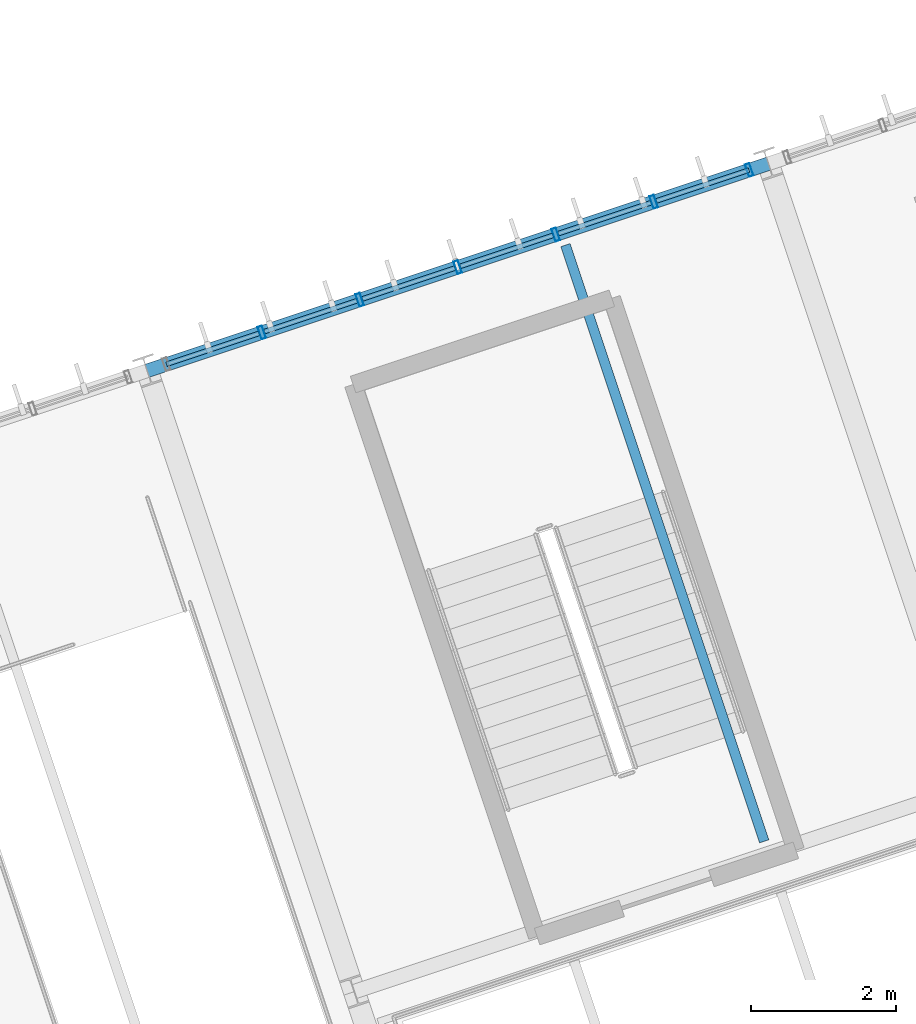
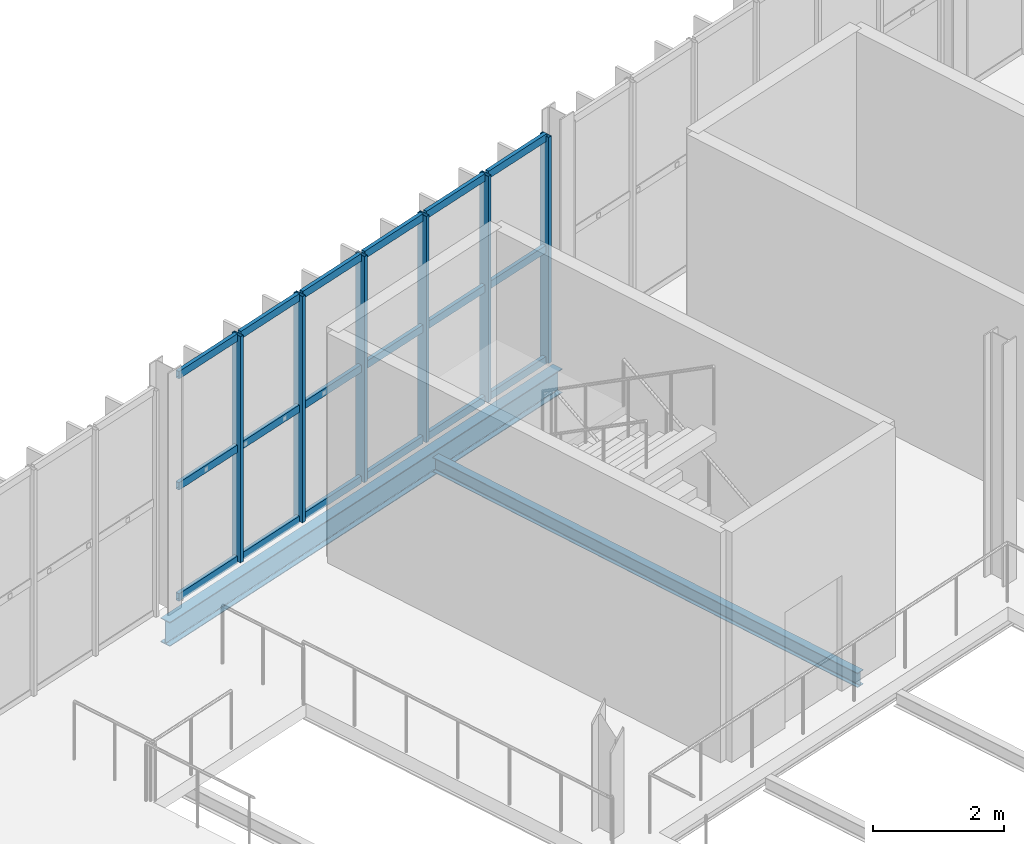
# One storey, part 48 of 152: 24 members, 2 beams, 1 element without a shape of its own.
"""IFC4 building model written with IfcOpenShell, lengths in metres."""

from ifc_helpers import new_model, si_unit, derived_unit, direction, frame, origin, origin_2d, place, context, subcontext, project, spatial, hollow_rectangle, i_section, extrude, material, material_profile, profile_set, type_object, element, aggregate, save


model = new_model("IFC4")

# Units and contexts
model_context = context("Model", 3, precision=1e-05, world=origin(), true_north=direction((0.0, 1.0)))
body_context = subcontext(model_context, "Body", "Model", "MODEL_VIEW")
ifc_project = project(units=[si_unit("LENGTHUNIT", "METRE"), si_unit("AREAUNIT", "SQUARE_METRE"), si_unit("VOLUMEUNIT", "CUBIC_METRE"), si_unit("PLANEANGLEUNIT", "RADIAN"), si_unit("MASSUNIT", "GRAM", prefix="KILO"), si_unit("THERMODYNAMICTEMPERATUREUNIT", "KELVIN"), si_unit("TIMEUNIT", "SECOND"), derived_unit("THERMALTRANSMITTANCEUNIT", [(si_unit("MASSUNIT", "GRAM", prefix="KILO"), 1), (si_unit("THERMODYNAMICTEMPERATUREUNIT", "KELVIN"), -1), (si_unit("TIMEUNIT", "SECOND"), -3)])], contexts=[model_context])

# Site, building, storey
site_placement = place(None, origin())
site = spatial("IfcSite", under=ifc_project, at=site_placement, CompositionType="ELEMENT")
building_placement = place(site_placement, origin())
building = spatial("IfcBuilding", under=site, at=building_placement, Name="Cambertide Market Hall", CompositionType="ELEMENT")
storey_placement = place(building_placement, frame((0.0, 0.0, 5.39990234375)))
storey = spatial("IfcBuildingStorey", under=building, at=storey_placement, Name="L02", CompositionType="ELEMENT", Elevation=5.39990234375)

# Curtain wall, members
ifc_material_1 = material(Name="Marine Anodized Aluminium 6063-T6 AA25", Category="aluminium")
curtain_wall_type = type_object("IfcCurtainWallType", Name="Food Court Upper Glazed Facade", PredefinedType="USERDEFINED", material=ifc_material_1)
curtain_wall_placement = place(storey_placement, origin())
curtain_wall = element("IfcCurtainWall", 1, at=curtain_wall_placement, inside=storey, type_object=curtain_wall_type, Name="Level 2 Curtain Wall CW-V3N-L02-5", ObjectType="UNITIZED CURTAIN WALL", PredefinedType="USERDEFINED")
ifc_material_2 = material(Name="Champagne Marine Anodized Aluminium 6063-T6 AA25", Category="aluminium")
ifc_material_profile_1 = material_profile(ifc_material_2, hollow_rectangle(XDim=0.06494140625, YDim=0.179931640625, WallThickness=0.00390625, at=origin_2d()), Name="ALU MULLION 65x180")
ifc_profile_set_1 = profile_set([ifc_material_profile_1], Name="Champagne Marine Anodized Aluminium 6063-T6 AA25")
member_type_1 = type_object("IfcMemberType", Name="Curtain Wall Mullion ALU MULLION 65x180", PredefinedType="MULLION", material=ifc_profile_set_1)
member_1_placement = place(storey_placement, frame((133.189208984375, 49.523681640625, 0.0), z_axis=(0.0, 0.0, 1.0), x_axis=(0.948683286311, 0.316227801236, 0.0)))
member_1 = element("IfcMember", 2, at=member_1_placement, type_object=member_type_1, Name="CW-V3N-L02-5 Mullion 2", PredefinedType="MULLION", context=body_context, shape_type="SweptSolid", body=[
    extrude(hollow_rectangle(XDim=0.06494140625, YDim=0.179931640625, WallThickness=0.00390625, at=origin_2d()), origin(), (0.0, 0.0, 1.0), 4.2001953125),
])
member_2_placement = place(storey_placement, frame((134.536376953125, 49.97265625, 0.0), z_axis=(0.0, 0.0, 1.0), x_axis=(0.948683286311, 0.316227801236, 0.0)))
member_2 = element("IfcMember", 3, at=member_2_placement, type_object=member_type_1, Name="CW-V3N-L02-5 Mullion 3", PredefinedType="MULLION", context=body_context, shape_type="SweptSolid", body=[
    extrude(hollow_rectangle(XDim=0.06494140625, YDim=0.179931640625, WallThickness=0.00390625, at=origin_2d()), origin(), (0.0, 0.0, 1.0), 4.2001953125),
])
member_3_placement = place(storey_placement, frame((135.883544921875, 50.421630859375, 0.0), z_axis=(0.0, 0.0, 1.0), x_axis=(0.948683286311, 0.316227801236, 0.0)))
member_3 = element("IfcMember", 4, at=member_3_placement, type_object=member_type_1, Name="CW-V3N-L02-5 Mullion 4", PredefinedType="MULLION", context=body_context, shape_type="SweptSolid", body=[
    extrude(hollow_rectangle(XDim=0.06494140625, YDim=0.179931640625, WallThickness=0.00390625, at=origin_2d()), origin(), (0.0, 0.0, 1.0), 4.2001953125),
])
member_4_placement = place(storey_placement, frame((137.230712890625, 50.87060546875, 0.0), z_axis=(0.0, 0.0, 1.0), x_axis=(0.948683286311, 0.316227801236, 0.0)))
member_4 = element("IfcMember", 5, at=member_4_placement, type_object=member_type_1, Name="CW-V3N-L02-5 Mullion 5", PredefinedType="MULLION", context=body_context, shape_type="SweptSolid", body=[
    extrude(hollow_rectangle(XDim=0.06494140625, YDim=0.179931640625, WallThickness=0.00390625, at=origin_2d()), origin(), (0.0, 0.0, 1.0), 4.2001953125),
])
member_5_placement = place(storey_placement, frame((138.577880859375, 51.31982421875, 0.0), z_axis=(0.0, 0.0, 1.0), x_axis=(0.948683286311, 0.316227801236, 0.0)))
member_5 = element("IfcMember", 6, at=member_5_placement, type_object=member_type_1, Name="CW-V3N-L02-5 Mullion 6", PredefinedType="MULLION", context=body_context, shape_type="SweptSolid", body=[
    extrude(hollow_rectangle(XDim=0.06494140625, YDim=0.179931640625, WallThickness=0.00390625, at=origin_2d()), origin(), (0.0, 0.0, 1.0), 4.2001953125),
])
member_6_placement = place(storey_placement, frame((139.8916015625, 51.7578125, 0.0), z_axis=(0.0, 0.0, 1.0), x_axis=(0.948683286311, 0.316227801236, 0.0)))
member_6 = element("IfcMember", 7, at=member_6_placement, type_object=member_type_1, Name="CW-V3N-L02-5 Mullion 7", PredefinedType="MULLION", context=body_context, shape_type="SweptSolid", body=[
    extrude(hollow_rectangle(XDim=0.06494140625, YDim=0.179931640625, WallThickness=0.00390625, at=origin_2d()), origin(), (0.0, 0.0, 1.0), 4.2001953125),
])
ifc_material_3 = material(Name="Champagne Marine Anodized Aluminium 6063-T6 AA25", Category="aluminium")
ifc_material_profile_2 = material_profile(ifc_material_3, hollow_rectangle(XDim=0.06494140625, YDim=0.139892578125, WallThickness=0.00341796875, at=origin_2d()), Name="ALU TRANSOM 65x140")
ifc_profile_set_2 = profile_set([ifc_material_profile_2], Name="Champagne Marine Anodized Aluminium 6063-T6 AA25")
member_type_2 = type_object("IfcMemberType", Name="Curtain Wall Transom ALU TRANSOM 65x140", PredefinedType="USERDEFINED", material=ifc_profile_set_2)
member_7_placement = place(storey_placement, frame((131.880126953125, 49.087158203125, 0.03515625), z_axis=(0.948665077442, 0.316282422593, 0.0), x_axis=(-0.316282422593, 0.948665077442, 0.0)))
member_7 = element("IfcMember", 8, at=member_7_placement, type_object=member_type_2, Name="CW-V3N-L02-5 Transom 1-1", ObjectType="TRANSOM", PredefinedType="USERDEFINED", context=body_context, shape_type="SweptSolid", body=[
    extrude(hollow_rectangle(XDim=0.06494140625, YDim=0.139892578125, WallThickness=0.00341796875, at=origin_2d()), origin(), (0.0, 0.0, 1.0), 1.340087890625),
])
member_8_placement = place(storey_placement, frame((133.227294921875, 49.5361328125, 0.03515625), z_axis=(0.948665077442, 0.316282422593, 0.0), x_axis=(-0.316282422593, 0.948665077442, 0.0)))
member_8 = element("IfcMember", 9, at=member_8_placement, type_object=member_type_2, Name="CW-V3N-L02-5 Transom 1-2", ObjectType="TRANSOM", PredefinedType="USERDEFINED", context=body_context, shape_type="SweptSolid", body=[
    extrude(hollow_rectangle(XDim=0.06494140625, YDim=0.139892578125, WallThickness=0.00341796875, at=origin_2d()), origin(), (0.0, 0.0, 1.0), 1.340087890625),
])
member_9_placement = place(storey_placement, frame((134.574462890625, 49.9853515625, 0.03515625), z_axis=(0.948701519708, 0.316173095792, 0.0), x_axis=(-0.316173095792, 0.948701519708, 0.0)))
member_9 = element("IfcMember", 10, at=member_9_placement, type_object=member_type_2, Name="CW-V3N-L02-5 Transom 1-3", ObjectType="TRANSOM", PredefinedType="USERDEFINED", context=body_context, shape_type="SweptSolid", body=[
    extrude(hollow_rectangle(XDim=0.06494140625, YDim=0.139892578125, WallThickness=0.00341796875, at=origin_2d()), origin(), (0.0, 0.0, 1.0), 1.33984375),
])
member_10_placement = place(storey_placement, frame((135.92138671875, 50.434326171875, 0.03515625), z_axis=(0.948665077442, 0.316282422593, 0.0), x_axis=(-0.316282422593, 0.948665077442, 0.0)))
member_10 = element("IfcMember", 11, at=member_10_placement, type_object=member_type_2, Name="CW-V3N-L02-5 Transom 1-4", ObjectType="TRANSOM", PredefinedType="USERDEFINED", context=body_context, shape_type="SweptSolid", body=[
    extrude(hollow_rectangle(XDim=0.06494140625, YDim=0.139892578125, WallThickness=0.00341796875, at=origin_2d()), origin(), (0.0, 0.0, 1.0), 1.340087890625),
])
member_11_placement = place(storey_placement, frame((137.2685546875, 50.88330078125, 0.03515625), z_axis=(0.948665077442, 0.316282422593, 0.0), x_axis=(-0.316282422593, 0.948665077442, 0.0)))
member_11 = element("IfcMember", 12, at=member_11_placement, type_object=member_type_2, Name="CW-V3N-L02-5 Transom 1-5", ObjectType="TRANSOM", PredefinedType="USERDEFINED", context=body_context, shape_type="SweptSolid", body=[
    extrude(hollow_rectangle(XDim=0.06494140625, YDim=0.139892578125, WallThickness=0.00341796875, at=origin_2d()), origin(), (0.0, 0.0, 1.0), 1.340087890625),
])
member_12_placement = place(storey_placement, frame((138.61572265625, 51.33251953125, 0.03515625), z_axis=(0.948719731918, 0.316118443418, 0.0), x_axis=(-0.316118443418, 0.948719731918, 0.0)))
member_12 = element("IfcMember", 13, at=member_12_placement, type_object=member_type_2, Name="CW-V3N-L02-5 Transom 1-6", ObjectType="TRANSOM", PredefinedType="USERDEFINED", context=body_context, shape_type="SweptSolid", body=[
    extrude(hollow_rectangle(XDim=0.06494140625, YDim=0.139892578125, WallThickness=0.00341796875, at=origin_2d()), origin(), (0.0, 0.0, 1.0), 1.33984375),
])
member_13_placement = place(storey_placement, frame((131.880126953125, 49.087158203125, 2.10009765625), z_axis=(0.948665077442, 0.316282422593, 0.0), x_axis=(-0.316282422593, 0.948665077442, 0.0)))
member_13 = element("IfcMember", 14, at=member_13_placement, type_object=member_type_2, Name="CW-V3N-L02-5 Transom 2-1", ObjectType="TRANSOM", PredefinedType="USERDEFINED", context=body_context, shape_type="SweptSolid", body=[
    extrude(hollow_rectangle(XDim=0.06494140625, YDim=0.139892578125, WallThickness=0.00341796875, at=origin_2d()), origin(), (0.0, 0.0, 1.0), 1.340087890625),
])
member_14_placement = place(storey_placement, frame((133.227294921875, 49.5361328125, 2.10009765625), z_axis=(0.948665077442, 0.316282422593, 0.0), x_axis=(-0.316282422593, 0.948665077442, 0.0)))
member_14 = element("IfcMember", 15, at=member_14_placement, type_object=member_type_2, Name="CW-V3N-L02-5 Transom 2-2", ObjectType="TRANSOM", PredefinedType="USERDEFINED", context=body_context, shape_type="SweptSolid", body=[
    extrude(hollow_rectangle(XDim=0.06494140625, YDim=0.139892578125, WallThickness=0.00341796875, at=origin_2d()), origin(), (0.0, 0.0, 1.0), 1.340087890625),
])
member_15_placement = place(storey_placement, frame((134.574462890625, 49.9853515625, 2.10009765625), z_axis=(0.948701519708, 0.316173095792, 0.0), x_axis=(-0.316173095792, 0.948701519708, 0.0)))
member_15 = element("IfcMember", 16, at=member_15_placement, type_object=member_type_2, Name="CW-V3N-L02-5 Transom 2-3", ObjectType="TRANSOM", PredefinedType="USERDEFINED", context=body_context, shape_type="SweptSolid", body=[
    extrude(hollow_rectangle(XDim=0.06494140625, YDim=0.139892578125, WallThickness=0.00341796875, at=origin_2d()), origin(), (0.0, 0.0, 1.0), 1.33984375),
])
member_16_placement = place(storey_placement, frame((135.92138671875, 50.434326171875, 2.10009765625), z_axis=(0.948665077442, 0.316282422593, 0.0), x_axis=(-0.316282422593, 0.948665077442, 0.0)))
member_16 = element("IfcMember", 17, at=member_16_placement, type_object=member_type_2, Name="CW-V3N-L02-5 Transom 2-4", ObjectType="TRANSOM", PredefinedType="USERDEFINED", context=body_context, shape_type="SweptSolid", body=[
    extrude(hollow_rectangle(XDim=0.06494140625, YDim=0.139892578125, WallThickness=0.00341796875, at=origin_2d()), origin(), (0.0, 0.0, 1.0), 1.340087890625),
])
member_17_placement = place(storey_placement, frame((137.2685546875, 50.88330078125, 2.10009765625), z_axis=(0.948665077442, 0.316282422593, 0.0), x_axis=(-0.316282422593, 0.948665077442, 0.0)))
member_17 = element("IfcMember", 18, at=member_17_placement, type_object=member_type_2, Name="CW-V3N-L02-5 Transom 2-5", ObjectType="TRANSOM", PredefinedType="USERDEFINED", context=body_context, shape_type="SweptSolid", body=[
    extrude(hollow_rectangle(XDim=0.06494140625, YDim=0.139892578125, WallThickness=0.00341796875, at=origin_2d()), origin(), (0.0, 0.0, 1.0), 1.340087890625),
])
member_18_placement = place(storey_placement, frame((138.61572265625, 51.33251953125, 2.10009765625), z_axis=(0.948719731918, 0.316118443418, 0.0), x_axis=(-0.316118443418, 0.948719731918, 0.0)))
member_18 = element("IfcMember", 19, at=member_18_placement, type_object=member_type_2, Name="CW-V3N-L02-5 Transom 2-6", ObjectType="TRANSOM", PredefinedType="USERDEFINED", context=body_context, shape_type="SweptSolid", body=[
    extrude(hollow_rectangle(XDim=0.06494140625, YDim=0.139892578125, WallThickness=0.00341796875, at=origin_2d()), origin(), (0.0, 0.0, 1.0), 1.33984375),
])
member_19_placement = place(storey_placement, frame((131.880126953125, 49.087158203125, 4.1650390625), z_axis=(0.948665077442, 0.316282422593, 0.0), x_axis=(-0.316282422593, 0.948665077442, 0.0)))
member_19 = element("IfcMember", 20, at=member_19_placement, type_object=member_type_2, Name="CW-V3N-L02-5 Transom 3-1", ObjectType="TRANSOM", PredefinedType="USERDEFINED", context=body_context, shape_type="SweptSolid", body=[
    extrude(hollow_rectangle(XDim=0.06494140625, YDim=0.139892578125, WallThickness=0.00341796875, at=origin_2d()), origin(), (0.0, 0.0, 1.0), 1.340087890625),
])
member_20_placement = place(storey_placement, frame((133.227294921875, 49.5361328125, 4.1650390625), z_axis=(0.948665077442, 0.316282422593, 0.0), x_axis=(-0.316282422593, 0.948665077442, 0.0)))
member_20 = element("IfcMember", 21, at=member_20_placement, type_object=member_type_2, Name="CW-V3N-L02-5 Transom 3-2", ObjectType="TRANSOM", PredefinedType="USERDEFINED", context=body_context, shape_type="SweptSolid", body=[
    extrude(hollow_rectangle(XDim=0.06494140625, YDim=0.139892578125, WallThickness=0.00341796875, at=origin_2d()), origin(), (0.0, 0.0, 1.0), 1.340087890625),
])
member_21_placement = place(storey_placement, frame((134.574462890625, 49.9853515625, 4.1650390625), z_axis=(0.948701519708, 0.316173095792, 0.0), x_axis=(-0.316173095792, 0.948701519708, 0.0)))
member_21 = element("IfcMember", 22, at=member_21_placement, type_object=member_type_2, Name="CW-V3N-L02-5 Transom 3-3", ObjectType="TRANSOM", PredefinedType="USERDEFINED", context=body_context, shape_type="SweptSolid", body=[
    extrude(hollow_rectangle(XDim=0.06494140625, YDim=0.139892578125, WallThickness=0.00341796875, at=origin_2d()), origin(), (0.0, 0.0, 1.0), 1.33984375),
])
member_22_placement = place(storey_placement, frame((135.92138671875, 50.434326171875, 4.1650390625), z_axis=(0.948665077442, 0.316282422593, 0.0), x_axis=(-0.316282422593, 0.948665077442, 0.0)))
member_22 = element("IfcMember", 23, at=member_22_placement, type_object=member_type_2, Name="CW-V3N-L02-5 Transom 3-4", ObjectType="TRANSOM", PredefinedType="USERDEFINED", context=body_context, shape_type="SweptSolid", body=[
    extrude(hollow_rectangle(XDim=0.06494140625, YDim=0.139892578125, WallThickness=0.00341796875, at=origin_2d()), origin(), (0.0, 0.0, 1.0), 1.340087890625),
])
member_23_placement = place(storey_placement, frame((137.2685546875, 50.88330078125, 4.1650390625), z_axis=(0.948665077442, 0.316282422593, 0.0), x_axis=(-0.316282422593, 0.948665077442, 0.0)))
member_23 = element("IfcMember", 24, at=member_23_placement, type_object=member_type_2, Name="CW-V3N-L02-5 Transom 3-5", ObjectType="TRANSOM", PredefinedType="USERDEFINED", context=body_context, shape_type="SweptSolid", body=[
    extrude(hollow_rectangle(XDim=0.06494140625, YDim=0.139892578125, WallThickness=0.00341796875, at=origin_2d()), origin(), (0.0, 0.0, 1.0), 1.340087890625),
])
member_24_placement = place(storey_placement, frame((138.61572265625, 51.33251953125, 4.1650390625), z_axis=(0.948719731918, 0.316118443418, 0.0), x_axis=(-0.316118443418, 0.948719731918, 0.0)))
member_24 = element("IfcMember", 25, at=member_24_placement, type_object=member_type_2, Name="CW-V3N-L02-5 Transom 3-6", ObjectType="TRANSOM", PredefinedType="USERDEFINED", context=body_context, shape_type="SweptSolid", body=[
    extrude(hollow_rectangle(XDim=0.06494140625, YDim=0.139892578125, WallThickness=0.00341796875, at=origin_2d()), origin(), (0.0, 0.0, 1.0), 1.33984375),
])
aggregate(curtain_wall, [member_1, member_2, member_3, member_4, member_5, member_6, member_7, member_8, member_9, member_10, member_11, member_12, member_13, member_14, member_15, member_16, member_17, member_18, member_19, member_20, member_21, member_22, member_23, member_24])

# Beams
ifc_material_4 = material(Name="Steel S355", Category="steel")
ifc_material_profile_3 = material_profile(ifc_material_4, i_section(OverallWidth=0.18994140625, OverallDepth=0.449951171875, WebThickness=0.009521484375, FlangeThickness=0.0146484375, FilletRadius=0.02099609375, at=origin_2d()), Name="IPE 450")
ifc_profile_set_3 = profile_set([ifc_material_profile_3], Name="Steel S355")
beam_type_1 = type_object("IfcBeamType", Name="Perimeter Spandrel Beam IPE 450", PredefinedType="SPANDREL", material=ifc_profile_set_3)
beam_1_placement = place(storey_placement, frame((131.614501953125, 48.99853515625, -0.474853515625), z_axis=(0.948677872554, 0.31624404204, 0.0), x_axis=(-0.31624404204, 0.948677872554, 0.0)))
element("IfcBeam", 26, at=beam_1_placement, inside=storey, type_object=beam_type_1, Name="Level 2 Spandrel BM-V3U-L02-5-4", PredefinedType="SPANDREL", context=body_context, shape_type="SweptSolid", body=[
    extrude(i_section(OverallWidth=0.18994140625, OverallDepth=0.449951171875, WebThickness=0.009521484375, FlangeThickness=0.0146484375, FilletRadius=0.02099609375, at=origin_2d()), origin(), (0.0, 0.0, 1.0), 9.0),
])
ifc_material_5 = material(Name="Steel S275", Category="steel")
ifc_material_profile_4 = material_profile(ifc_material_5, i_section(OverallWidth=0.135009765625, OverallDepth=0.27001953125, WebThickness=0.006591796875, FlangeThickness=0.01025390625, FilletRadius=0.014892578125, at=origin_2d()), Name="IPE 270")
ifc_profile_set_4 = profile_set([ifc_material_profile_4], Name="Steel S275")
beam_type_2 = type_object("IfcBeamType", Name="Steel Secondary Joist IPE 270", PredefinedType="JOIST", material=ifc_profile_set_4)
beam_2_placement = place(storey_placement, frame((140.095703125, 42.528564453125, -0.385009765625), z_axis=(-0.316219289033, 0.94868612367, 0.0), x_axis=(-0.94868612367, -0.316219289033, 0.0)))
element("IfcBeam", 27, at=beam_2_placement, inside=storey, type_object=beam_type_2, Name="Level 2 Joist JS-V3-L02-5-3-2", PredefinedType="JOIST", context=body_context, shape_type="SweptSolid", body=[
    extrude(i_section(OverallWidth=0.135009765625, OverallDepth=0.27001953125, WebThickness=0.006591796875, FlangeThickness=0.01025390625, FilletRadius=0.014892578125, at=origin_2d()), origin(), (0.0, 0.0, 1.0), 8.64013671875),
])

save(model, "model.ifc")
